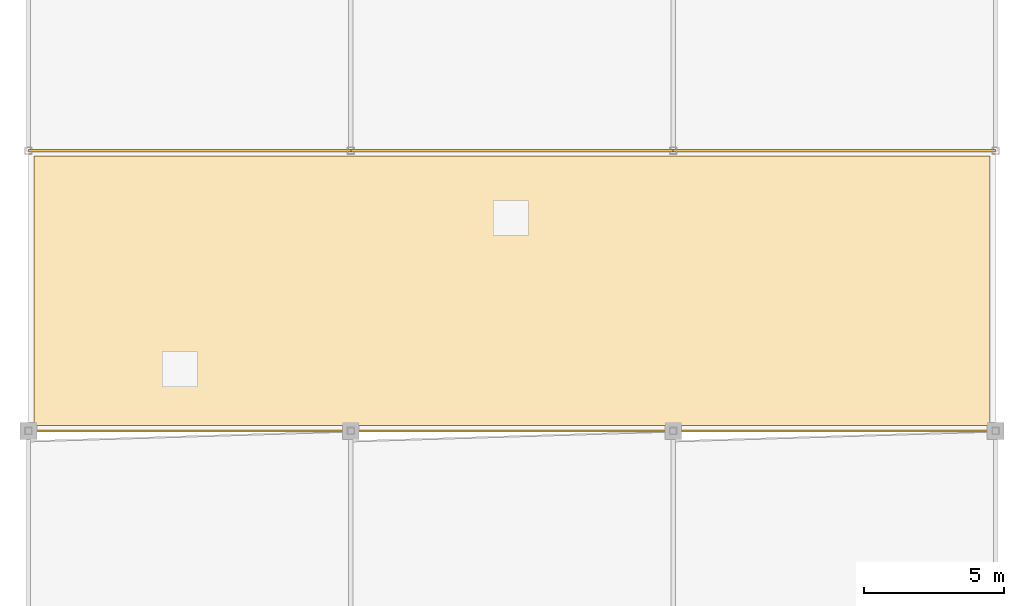
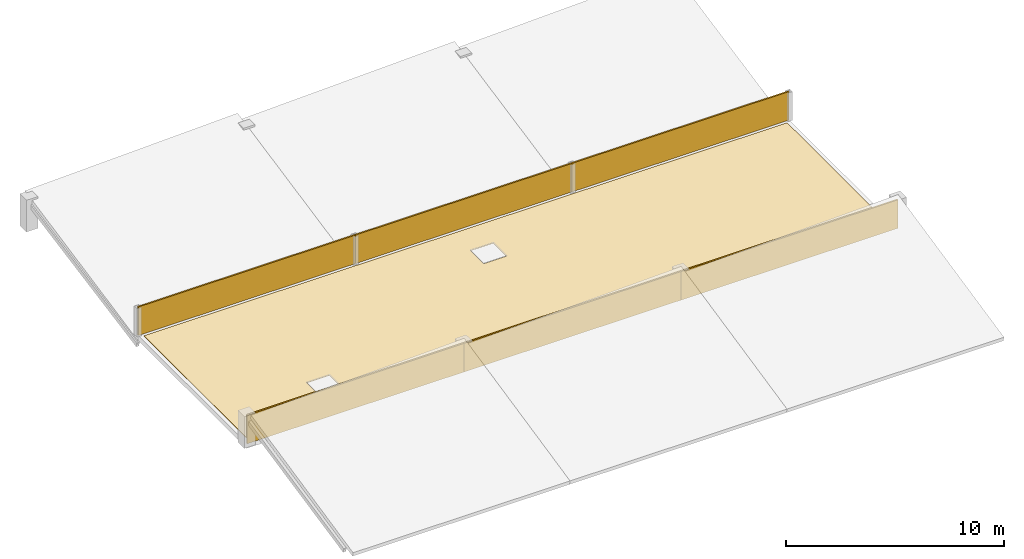
# One storey, part 6 of 6: 6 shading devices, 1 covering.
"""IFC4 building model written with IfcOpenShell, lengths in metres."""

from ifc_helpers import new_model, si_unit, direction, frame, origin, origin_2d, place, context, subcontext, project, spatial, polyline, rectangle, outline, extrude, material, layer, layer_set, type_object, element, save


model = new_model("IFC4")

# Units and contexts
model_context = context("Model", 3, precision=1e-05, world=origin(), true_north=direction((0.0, 1.0)))
body_context = subcontext(model_context, "Body", "Model", "MODEL_VIEW")
ifc_project = project(units=[si_unit("LENGTHUNIT", "METRE"), si_unit("AREAUNIT", "SQUARE_METRE"), si_unit("VOLUMEUNIT", "CUBIC_METRE"), si_unit("PLANEANGLEUNIT", "RADIAN"), si_unit("MASSUNIT", "GRAM", prefix="KILO")], contexts=[model_context])

# Site, building, storey
site_placement = place(None, origin())
site = spatial("IfcSite", under=ifc_project, at=site_placement, CompositionType="ELEMENT")
building_placement = place(site_placement, origin())
building = spatial("IfcBuilding", under=site, at=building_placement, Name="Ologun Quay Terminus", CompositionType="ELEMENT")
storey_placement = place(building_placement, frame((0.0, 0.0, 26.89990234375)))
storey = spatial("IfcBuildingStorey", under=building, at=storey_placement, Name="ROOF", CompositionType="ELEMENT", Elevation=26.89990234375)

# Shading devices
ifc_material_1 = material(Name="Aluminium 6063-T6", Category="aluminium")
ifc_layer_1 = layer(ifc_material_1, 1.60009765625)
ifc_layer_set_1 = layer_set([ifc_layer_1], Name="Aluminium 6063-T6")
shading_device_type = type_object("IfcShadingDeviceType", Name="Perforated Rooftop Plant Acoustic Screen 1600", PredefinedType="SHUTTER", material=ifc_layer_set_1)
for number, where, z_axis, x_axis, name in (
    (1, (120.75, 94.800048828125, 0.0), (0.0, 0.0, 1.0), (1.0, 0.0, 0.0), "PS-01 Acoustic Plant Screen S1"),
    (2, (132.25, 94.800048828125, 0.0), (0.0, 0.0, 1.0), (1.0, 0.0, 0.0), "PS-01 Acoustic Plant Screen S2"),
    (3, (143.75, 94.800048828125, 0.0), (0.0, 0.0, 1.0), (1.0, 0.0, 0.0), "PS-01 Acoustic Plant Screen S3"),
    (4, (120.75, 104.800048828125, 0.0), (0.0, 0.0, 1.0), (1.0, 0.0, 0.0), "PS-01 Acoustic Plant Screen N1"),
    (5, (132.25, 104.800048828125, 0.0), (0.0, 0.0, 1.0), (1.0, 0.0, 0.0), "PS-01 Acoustic Plant Screen N2"),
    (6, (143.75, 104.800048828125, 0.0), (0.0, 0.0, 1.0), (1.0, 0.0, 0.0), "PS-01 Acoustic Plant Screen N3"),
):
    element("IfcShadingDevice", number, at=place(storey_placement, frame(where, z_axis=z_axis, x_axis=x_axis)), inside=storey, type_object=shading_device_type, Name=name, PredefinedType="SHUTTER", context=body_context, shape_type="SweptSolid", body=[
        extrude(rectangle(XDim=11.5, YDim=0.080078125, at=origin_2d()), origin(), (0.0, 0.0, 1.0), 1.60009765625),
    ])

# Covering
ifc_material_2 = material(Name="Waterproof Membrane")
ifc_layer_2 = layer(ifc_material_2, 0.01806640625)
ifc_layer_set_2 = layer_set([ifc_layer_2], Name="Waterproof Membrane")
covering_type = type_object("IfcCoveringType", Name="Two-Ply Polymeric Waterproof Roof Membrane 18", PredefinedType="ROOFING", material=ifc_layer_set_2)
covering_placement = place(storey_placement, origin())
element("IfcCovering", 7, at=covering_placement, inside=storey, type_object=covering_type, Name="CV-RFM Operations Core Roof Membrane", PredefinedType="ROOFING", context=body_context, shape_type="SweptSolid", body=[
    extrude(outline(polyline([(115.199951171875, 95.0), (149.300048828125, 95.0), (149.300048828125, 104.60009765625), (115.199951171875, 104.60009765625), (115.199951171875, 95.0)]), holes=[polyline([(119.800048828125, 96.39990234375), (119.800048828125, 97.60009765625), (121.0, 97.60009765625), (121.0, 96.39990234375), (119.800048828125, 96.39990234375)]), polyline([(131.60009765625, 101.800048828125), (131.60009765625, 103.0), (132.800048828125, 103.0), (132.800048828125, 101.800048828125), (131.60009765625, 101.800048828125)])]), origin(), (0.0, 0.0, 1.0), 0.01806640625),
])

save(model, "model.ifc")
